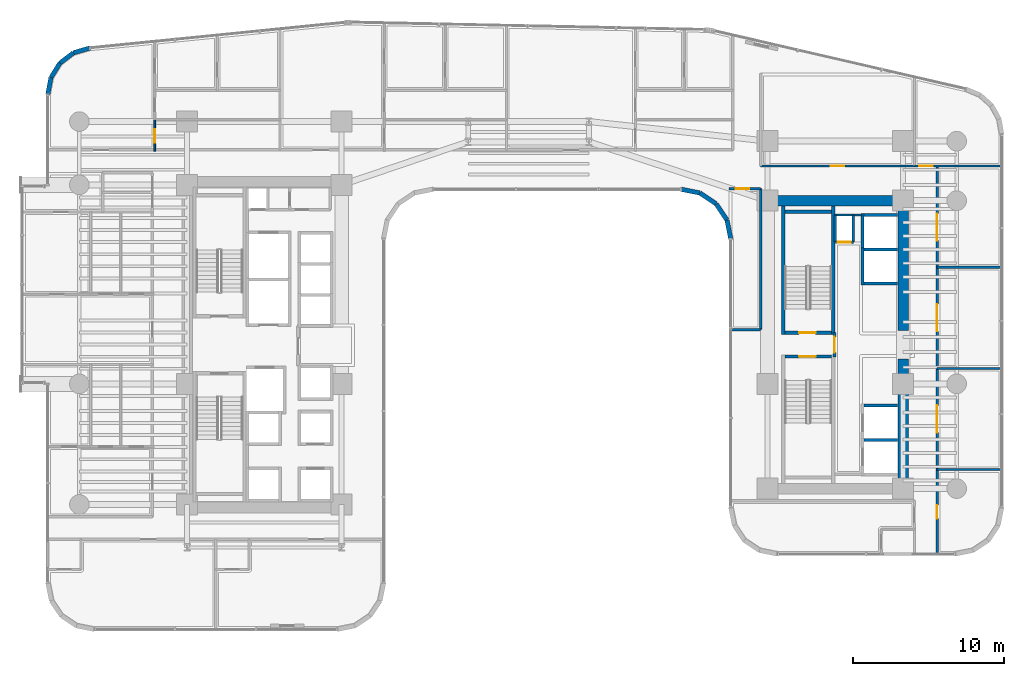
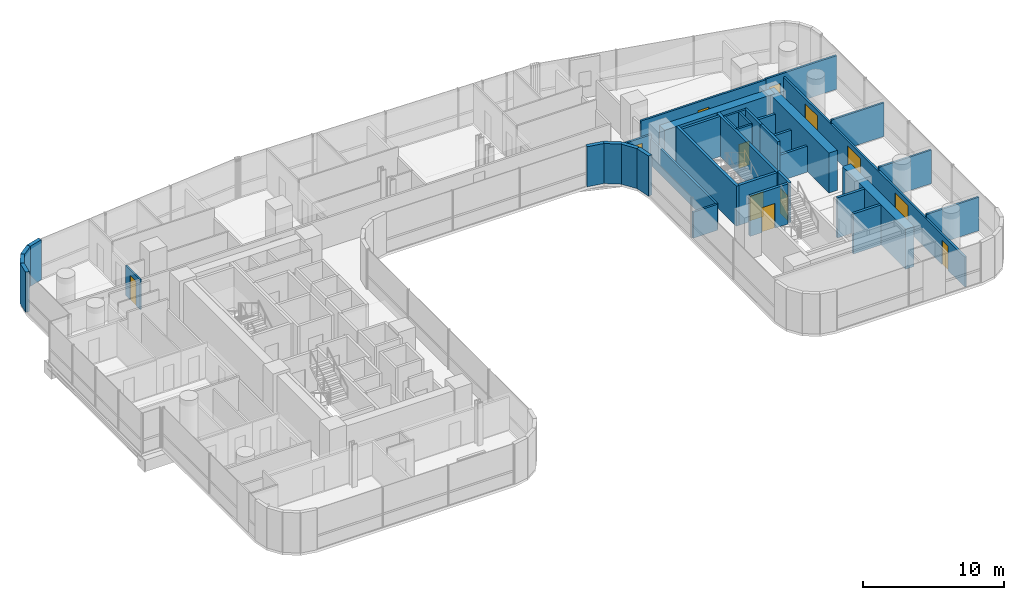
# One storey, part 32 of 40: 38 walls, 12 doors, 12 openings.
"""IFC4 building model written with IfcOpenShell, lengths in metres."""

from ifc_helpers import new_model, si_unit, direction, frame, frame_2d, origin, place, context, subcontext, project, spatial, rectangle, extrude, material, layer, layer_set, type_object, element, fill, save


model = new_model("IFC4")

# Units and contexts
model_context = context("Model", 3, precision=1e-05, world=origin(), true_north=direction((0.0, 1.0)))
body_context = subcontext(model_context, "Body", "Model", "MODEL_VIEW")
ifc_project = project(units=[si_unit("LENGTHUNIT", "METRE"), si_unit("AREAUNIT", "SQUARE_METRE"), si_unit("VOLUMEUNIT", "CUBIC_METRE"), si_unit("PLANEANGLEUNIT", "RADIAN"), si_unit("MASSUNIT", "GRAM", prefix="KILO")], contexts=[model_context])

# Site, building, storey
site_placement = place(None, origin())
site = spatial("IfcSite", under=ifc_project, at=site_placement, CompositionType="ELEMENT")
building_placement = place(site_placement, origin())
building = spatial("IfcBuilding", under=site, at=building_placement, Name="Valdorenza Pilgrim Sanctuary Tower", CompositionType="ELEMENT")
storey_placement = place(building_placement, frame((0.0, 0.0, 44.5)))
storey = spatial("IfcBuildingStorey", under=building, at=storey_placement, Name="L10", CompositionType="ELEMENT", Elevation=44.5)

# Wall, opening, door
ifc_material_1 = material(Name="Acoustic twin-stud gypsum partition", Category="gypsum")
ifc_layer_1 = layer(ifc_material_1, 0.159912109375, Name="Acoustic twin-stud gypsum partition")
ifc_layer_set_1 = layer_set([ifc_layer_1], Name="Acoustic twin-stud gypsum partition")
wall_type_1 = type_object("IfcWallType", Name="WAL-COR-160", PredefinedType="PARTITIONING", material=ifc_layer_set_1)
wall_1_placement = place(storey_placement, frame((20.35009765625, 6.800048828125, 0.0), z_axis=(0.0, 0.0, 1.0), x_axis=(1.0, 0.0, 0.0)))
wall_1 = element("IfcWall", 1, at=wall_1_placement, inside=storey, type_object=wall_type_1, Name="L10 Core B Riser South Wall", PredefinedType="PARTITIONING", context=body_context, shape_type="SweptSolid", body=[
    extrude(rectangle(XDim=1.199951171875, YDim=0.159912109375, at=frame_2d((0.60009765625, 0.0))), origin(), (0.0, 0.0, 1.0), 3.4599609375),
])
opening_1_placement = place(wall_1_placement, frame((0.175048828125, 0.0, 0.0)))
opening_1 = element("IfcOpeningElement", 2, at=opening_1_placement, cuts=wall_1, Name="Opening DR-RS1", PredefinedType="OPENING", context=body_context, shape_type="SweptSolid", body=[
    extrude(rectangle(XDim=0.85009765625, YDim=2.050048828125, at=frame_2d((0.425048828125, 1.02490234375))), frame((0.0, 0.0947265625, 0.0), z_axis=(0.0, -1.0, 0.0), x_axis=(1.0, 0.0, 0.0)), (0.0, 0.0, 1.0), 0.189697265625),
])
ifc_material_2 = material(Name="Painted galvanized steel", Category="steel")
door_type_1 = type_object("IfcDoorType", Name="DR-RSR-850", OperationType="NOTDEFINED", PredefinedType="DOOR", material=ifc_material_2)
door_1_placement = place(opening_1_placement, origin())
door_1 = element("IfcDoor", 3, at=door_1_placement, inside=storey, type_object=door_type_1, Name="L10 Core B Electrical Riser Door", OperationType="SINGLE_SWING_LEFT", OverallHeight=2.050048828125, OverallWidth=0.85009765625, PredefinedType="DOOR", context=body_context, shape_type="SweptSolid", body=[
    extrude(rectangle(XDim=0.85009765625, YDim=2.050048828125, at=frame_2d((0.425048828125, 1.02490234375))), frame((0.0, 0.02490234375, 0.0), z_axis=(0.0, -1.0, 0.0), x_axis=(1.0, 0.0, 0.0)), (0.0, 0.0, 1.0), 0.050048828125),
])
fill(opening_1, door_1)

# Walls
for number, where, z_axis, x_axis, name in (
    (4, (21.550048828125, 6.800048828125, 0.0), (0.0, 0.0, 1.0), (0.0, 1.0, 0.0), "L10 Core B Riser East Wall"),
    (5, (20.35009765625, 6.800048828125, 0.0), (0.0, 0.0, 1.0), (0.0, 1.0, 0.0), "L10 Core B Riser West Wall"),
):
    element("IfcWall", number, at=place(storey_placement, frame(where, z_axis=z_axis, x_axis=x_axis)), inside=storey, type_object=wall_type_1, Name=name, PredefinedType="PARTITIONING", context=body_context, shape_type="SweptSolid", body=[
        extrude(rectangle(XDim=1.800048828125, YDim=0.159912109375, at=frame_2d((0.89990234375, 0.0))), origin(), (0.0, 0.0, 1.0), 3.4599609375),
    ])
wall_2_placement = place(storey_placement, frame((20.300048828125, 8.60009765625, 0.0), z_axis=(0.0, 0.0, 1.0), x_axis=(1.0, 0.0, 0.0)))
element("IfcWall", 6, at=wall_2_placement, inside=storey, type_object=wall_type_1, Name="L10 Core B Lift Hall North End Wall", PredefinedType="PARTITIONING", context=body_context, shape_type="SweptSolid", body=[
    extrude(rectangle(XDim=1.820068359375, YDim=0.159912109375, at=frame_2d((0.91015625, 0.0))), origin(), (0.0, 0.0, 1.0), 3.4599609375),
])

# Wall, opening, door
wall_3_placement = place(storey_placement, frame((15.39990234375, 11.85009765625, 0.0), z_axis=(0.0, 0.0, 1.0), x_axis=(1.0, 0.0, 0.0)))
wall_3 = element("IfcWall", 7, at=wall_3_placement, inside=storey, type_object=wall_type_1, Name="L10 Wing B North Corridor Wall", PredefinedType="PARTITIONING", context=body_context, shape_type="SweptSolid", body=[
    extrude(rectangle(XDim=10.2001953125, YDim=0.159912109375, at=frame_2d((5.10009765625, 0.0))), origin(), (0.0, 0.0, 1.0), 2.833984375),
])
opening_2_placement = place(wall_3_placement, frame((4.64990234375, 0.0, 0.0)))
opening_2 = element("IfcOpeningElement", 8, at=opening_2_placement, cuts=wall_3, Name="Opening DR-RM1", PredefinedType="OPENING", context=body_context, shape_type="SweptSolid", body=[
    extrude(rectangle(XDim=0.89990234375, YDim=2.10009765625, at=frame_2d((0.449951171875, 1.050048828125))), frame((0.0, 0.0947265625, 0.0), z_axis=(0.0, -1.0, 0.0), x_axis=(1.0, 0.0, 0.0)), (0.0, 0.0, 1.0), 0.189697265625),
])
ifc_material_3 = material(Name="Solid-core European oak timber", Category="wood")
door_type_2 = type_object("IfcDoorType", Name="DR-ROOM-900", OperationType="NOTDEFINED", PredefinedType="DOOR", material=ifc_material_3)
door_2_placement = place(opening_2_placement, origin())
door_2 = element("IfcDoor", 9, at=door_2_placement, inside=storey, type_object=door_type_2, Name="L10 Curator Research Office L10-BN1 Door", OperationType="SINGLE_SWING_RIGHT", OverallHeight=2.10009765625, OverallWidth=0.89990234375, PredefinedType="DOOR", context=body_context, shape_type="SweptSolid", body=[
    extrude(rectangle(XDim=0.89990234375, YDim=2.10009765625, at=frame_2d((0.449951171875, 1.050048828125))), frame((0.0, 0.02490234375, 0.0), z_axis=(0.0, -1.0, 0.0), x_axis=(1.0, 0.0, 0.0)), (0.0, 0.0, 1.0), 0.050048828125),
])
fill(opening_2, door_2)

# Wall, openings, doors
wall_4_placement = place(storey_placement, frame((27.10009765625, -13.889892578125, 0.0), z_axis=(0.0, 0.0, 1.0), x_axis=(0.0, 1.0, 0.0)))
wall_4 = element("IfcWall", 10, at=wall_4_placement, inside=storey, type_object=wall_type_1, Name="L10 Wing B East Corridor Wall", PredefinedType="PARTITIONING", context=body_context, shape_type="SweptSolid", body=[
    extrude(rectangle(XDim=25.739990234375, YDim=0.159912109375, at=frame_2d((12.8701171875, 0.0))), origin(), (0.0, 0.0, 1.0), 2.5830078125),
])
opening_3_placement = place(wall_4_placement, frame((2.35107421875, 0.0, 0.0)))
opening_3 = element("IfcOpeningElement", 11, at=opening_3_placement, cuts=wall_4, Name="Opening DR-RM1", PredefinedType="OPENING", context=body_context, shape_type="SweptSolid", body=[
    extrude(rectangle(XDim=0.89990234375, YDim=2.10009765625, at=frame_2d((0.449951171875, 1.050048828125))), frame((0.0, 0.0947265625, 0.0), z_axis=(0.0, -1.0, 0.0), x_axis=(1.0, 0.0, 0.0)), (0.0, 0.0, 1.0), 0.189697265625),
])
opening_4_placement = place(wall_4_placement, frame((8.05908203125, 0.0, 0.0)))
opening_4 = element("IfcOpeningElement", 12, at=opening_4_placement, cuts=wall_4, Name="Opening DR-HL1", PredefinedType="OPENING", context=body_context, shape_type="SweptSolid", body=[
    extrude(rectangle(XDim=1.800048828125, YDim=2.14990234375, at=frame_2d((0.89990234375, 1.074951171875))), frame((0.0, 0.0947265625, 0.0), z_axis=(0.0, -1.0, 0.0), x_axis=(1.0, 0.0, 0.0)), (0.0, 0.0, 1.0), 0.189697265625),
])
opening_5_placement = place(wall_4_placement, frame((14.77099609375, 0.0, 0.0)))
opening_5 = element("IfcOpeningElement", 13, at=opening_5_placement, cuts=wall_4, Name="Opening DR-HL1", PredefinedType="OPENING", context=body_context, shape_type="SweptSolid", body=[
    extrude(rectangle(XDim=1.800048828125, YDim=2.14990234375, at=frame_2d((0.89990234375, 1.074951171875))), frame((0.0, 0.0947265625, 0.0), z_axis=(0.0, -1.0, 0.0), x_axis=(1.0, 0.0, 0.0)), (0.0, 0.0, 1.0), 0.189697265625),
])
opening_6_placement = place(wall_4_placement, frame((20.78759765625, 0.0, 0.0)))
opening_6 = element("IfcOpeningElement", 14, at=opening_6_placement, cuts=wall_4, Name="Opening DR-HL1", PredefinedType="OPENING", context=body_context, shape_type="SweptSolid", body=[
    extrude(rectangle(XDim=1.800048828125, YDim=2.14990234375, at=frame_2d((0.89990234375, 1.074951171875))), frame((0.0, 0.0947265625, 0.0), z_axis=(0.0, -1.0, 0.0), x_axis=(1.0, 0.0, 0.0)), (0.0, 0.0, 1.0), 0.189697265625),
])
ifc_material_4 = material(Name="Acoustic oak and vision-glass double door", Category="glass")
door_type_3 = type_object("IfcDoorType", Name="DR-HALL-1800", OperationType="NOTDEFINED", PredefinedType="DOOR", material=ifc_material_4)
door_3_placement = place(opening_4_placement, frame((1.800048828125, 0.0, 0.0), z_axis=(0.0, 0.0, 1.0), x_axis=(-1.0, 0.0, 0.0)))
door_3 = element("IfcDoor", 15, at=door_3_placement, inside=storey, type_object=door_type_3, Name="L10 East Reading Lounge L10-EB2 Door", OperationType="DOUBLE_DOOR_SINGLE_SWING", OverallHeight=2.14990234375, OverallWidth=1.800048828125, PredefinedType="DOOR", context=body_context, shape_type="SweptSolid", body=[
    extrude(rectangle(XDim=1.800048828125, YDim=2.14990234375, at=frame_2d((0.89990234375, 1.074951171875))), frame((0.0, 0.02490234375, 0.0), z_axis=(0.0, -1.0, 0.0), x_axis=(1.0, 0.0, 0.0)), (0.0, 0.0, 1.0), 0.050048828125),
])
fill(opening_4, door_3)
door_4_placement = place(opening_5_placement, origin())
door_4 = element("IfcDoor", 16, at=door_4_placement, inside=storey, type_object=door_type_3, Name="L10 East Reading Lounge L10-EB3 Door", OperationType="DOUBLE_DOOR_SINGLE_SWING", OverallHeight=2.14990234375, OverallWidth=1.800048828125, PredefinedType="DOOR", context=body_context, shape_type="SweptSolid", body=[
    extrude(rectangle(XDim=1.800048828125, YDim=2.14990234375, at=frame_2d((0.89990234375, 1.074951171875))), frame((0.0, 0.02490234375, 0.0), z_axis=(0.0, -1.0, 0.0), x_axis=(1.0, 0.0, 0.0)), (0.0, 0.0, 1.0), 0.050048828125),
])
fill(opening_5, door_4)
door_5_placement = place(opening_6_placement, frame((1.800048828125, 0.0, 0.0), z_axis=(0.0, 0.0, 1.0), x_axis=(-1.0, 0.0, 0.0)))
door_5 = element("IfcDoor", 17, at=door_5_placement, inside=storey, type_object=door_type_3, Name="L10 East Reading Lounge L10-EB4 Door", OperationType="DOUBLE_DOOR_SINGLE_SWING", OverallHeight=2.14990234375, OverallWidth=1.800048828125, PredefinedType="DOOR", context=body_context, shape_type="SweptSolid", body=[
    extrude(rectangle(XDim=1.800048828125, YDim=2.14990234375, at=frame_2d((0.89990234375, 1.074951171875))), frame((0.0, 0.02490234375, 0.0), z_axis=(0.0, -1.0, 0.0), x_axis=(1.0, 0.0, 0.0)), (0.0, 0.0, 1.0), 0.050048828125),
])
fill(opening_6, door_5)
door_6_placement = place(opening_3_placement, origin())
door_6 = element("IfcDoor", 18, at=door_6_placement, inside=storey, type_object=door_type_2, Name="L10 East Reading Lounge L10-EB1 Door", OperationType="SINGLE_SWING_RIGHT", OverallHeight=2.10009765625, OverallWidth=0.89990234375, PredefinedType="DOOR", context=body_context, shape_type="SweptSolid", body=[
    extrude(rectangle(XDim=0.89990234375, YDim=2.10009765625, at=frame_2d((0.449951171875, 1.050048828125))), frame((0.0, 0.02490234375, 0.0), z_axis=(0.0, -1.0, 0.0), x_axis=(1.0, 0.0, 0.0)), (0.0, 0.0, 1.0), 0.050048828125),
])
fill(opening_3, door_6)

# Wall, opening, door
wall_5_placement = place(storey_placement, frame((25.60009765625, 11.85009765625, 0.0), z_axis=(0.0, 0.0, 1.0), x_axis=(1.0, 0.0, 0.0)))
wall_5 = element("IfcWall", 19, at=wall_5_placement, inside=storey, type_object=wall_type_1, Name="L10 East Wing NE Corner South Wall", PredefinedType="PARTITIONING", context=body_context, shape_type="SweptSolid", body=[
    extrude(rectangle(XDim=5.789794921875, YDim=0.159912109375, at=frame_2d((2.89501953125, 0.0))), origin(), (0.0, 0.0, 1.0), 2.89599609375),
])
opening_7_placement = place(wall_5_placement, frame((0.300048828125, 0.0, 0.0)))
opening_7 = element("IfcOpeningElement", 20, at=opening_7_placement, cuts=wall_5, Name="Opening DR-RM1", PredefinedType="OPENING", context=body_context, shape_type="SweptSolid", body=[
    extrude(rectangle(XDim=0.89990234375, YDim=2.10009765625, at=frame_2d((0.449951171875, 1.050048828125))), frame((0.0, 0.0947265625, 0.0), z_axis=(0.0, -1.0, 0.0), x_axis=(1.0, 0.0, 0.0)), (0.0, 0.0, 1.0), 0.189697265625),
])
door_7_placement = place(opening_7_placement, origin())
door_7 = element("IfcDoor", 21, at=door_7_placement, inside=storey, type_object=door_type_2, Name="L10 East North Alcove Office L10 Door", OperationType="SINGLE_SWING_LEFT", OverallHeight=2.10009765625, OverallWidth=0.89990234375, PredefinedType="DOOR", context=body_context, shape_type="SweptSolid", body=[
    extrude(rectangle(XDim=0.89990234375, YDim=2.10009765625, at=frame_2d((0.449951171875, 1.050048828125))), frame((0.0, 0.02490234375, 0.0), z_axis=(0.0, -1.0, 0.0), x_axis=(1.0, 0.0, 0.0)), (0.0, 0.0, 1.0), 0.050048828125),
])
fill(opening_7, door_7)

wall_6_placement = place(storey_placement, frame((13.300048828125, 10.35009765625, 0.0), z_axis=(0.0, 0.0, 1.0), x_axis=(1.0, 0.0, 0.0)))
wall_6 = element("IfcWall", 22, at=wall_6_placement, inside=storey, type_object=wall_type_1, Name="L10 Courtyard Overlook North Wall", PredefinedType="PARTITIONING", context=body_context, shape_type="SweptSolid", body=[
    extrude(rectangle(XDim=2.099853515625, YDim=0.159912109375, at=frame_2d((1.0498046875, 0.0))), origin(), (0.0, 0.0, 1.0), 2.5830078125),
])
opening_8_placement = place(wall_6_placement, frame((0.449951171875, 0.0, 0.0)))
opening_8 = element("IfcOpeningElement", 23, at=opening_8_placement, cuts=wall_6, Name="Opening DR-RM1", PredefinedType="OPENING", context=body_context, shape_type="SweptSolid", body=[
    extrude(rectangle(XDim=0.89990234375, YDim=2.10009765625, at=frame_2d((0.449951171875, 1.050048828125))), frame((0.0, 0.0947265625, 0.0), z_axis=(0.0, -1.0, 0.0), x_axis=(1.0, 0.0, 0.0)), (0.0, 0.0, 1.0), 0.189697265625),
])
door_8_placement = place(opening_8_placement, origin())
door_8 = element("IfcDoor", 24, at=door_8_placement, inside=storey, type_object=door_type_2, Name="L10 Courtyard Overlook Salon Door", OperationType="SINGLE_SWING_RIGHT", OverallHeight=2.10009765625, OverallWidth=0.89990234375, PredefinedType="DOOR", context=body_context, shape_type="SweptSolid", body=[
    extrude(rectangle(XDim=0.89990234375, YDim=2.10009765625, at=frame_2d((0.449951171875, 1.050048828125))), frame((0.0, 0.02490234375, 0.0), z_axis=(0.0, -1.0, 0.0), x_axis=(1.0, 0.0, 0.0)), (0.0, 0.0, 1.0), 0.050048828125),
])
fill(opening_8, door_8)

# Walls
wall_7_placement = place(storey_placement, frame((15.39990234375, 1.0, 0.0), z_axis=(0.0, 0.0, 1.0), x_axis=(0.0, 1.0, 0.0)))
element("IfcWall", 25, at=wall_7_placement, inside=storey, type_object=wall_type_1, Name="L10 Courtyard Overlook East Wall", PredefinedType="PARTITIONING", context=body_context, shape_type="SweptSolid", body=[
    extrude(rectangle(XDim=9.35009765625, YDim=0.159912109375, at=frame_2d((4.675048828125, 0.0))), origin(), (0.0, 0.0, 1.0), 2.2451171875),
])
wall_8_placement = place(storey_placement, frame((13.409912109375, 1.0, 0.0), z_axis=(0.0, 0.0, 1.0), x_axis=(1.0, 0.0, 0.0)))
element("IfcWall", 26, at=wall_8_placement, inside=storey, type_object=wall_type_1, Name="L10 Courtyard Overlook South Wall", PredefinedType="PARTITIONING", context=body_context, shape_type="SweptSolid", body=[
    extrude(rectangle(XDim=1.989990234375, YDim=0.159912109375, at=frame_2d((0.9951171875, 0.0))), origin(), (0.0, 0.0, 1.0), 2.2451171875),
])
ifc_material_5 = material(Name="Concrete C60/75", Category="concrete")
ifc_layer_2 = layer(ifc_material_5, 0.699951171875, Name="Concrete C60/75")
ifc_layer_set_2 = layer_set([ifc_layer_2], Name="Concrete C60/75")
wall_type_2 = type_object("IfcWallType", Name="WAL-COR-700", PredefinedType="SHEAR", material=ifc_layer_set_2)
for number, where, z_axis, x_axis, name in (
    (27, (24.85009765625, -9.89990234375, 0.0), (0.0, 0.0, 1.0), (0.0, 1.0, 0.0), "L10 Split Core B Shear Wall ES"),
    (28, (24.85009765625, 0.949951171875, 0.0), (0.0, 0.0, 1.0), (0.0, 1.0, 0.0), "L10 Split Core B Shear Wall EN"),
):
    element("IfcWall", number, at=place(storey_placement, frame(where, z_axis=z_axis, x_axis=x_axis)), inside=storey, type_object=wall_type_2, Name=name, PredefinedType="SHEAR", context=body_context, shape_type="SweptSolid", body=[
        extrude(rectangle(XDim=8.949951171875, YDim=0.699951171875, at=frame_2d((4.47509765625, 0.0))), origin(), (0.0, 0.0, 1.0), 3.4599609375),
    ])
wall_9_placement = place(storey_placement, frame((15.85009765625, 9.550048828125, 0.0), z_axis=(0.0, 0.0, 1.0), x_axis=(1.0, 0.0, 0.0)))
element("IfcWall", 29, at=wall_9_placement, inside=storey, type_object=wall_type_2, Name="L10 Split Core B Shear Wall N", PredefinedType="SHEAR", context=body_context, shape_type="SweptSolid", body=[
    extrude(rectangle(XDim=9.0, YDim=0.699951171875, at=frame_2d((4.5, 0.0))), origin(), (0.0, 0.0, 1.0), 3.4599609375),
])
ifc_material_6 = material(Name="Honed travertine limestone", Category="masonry")
ifc_layer_3 = layer(ifc_material_6, 0.300048828125, Name="Honed travertine limestone")
ifc_layer_set_3 = layer_set([ifc_layer_3], Name="Honed travertine limestone")
wall_type_3 = type_object("IfcWallType", Name="WAL-EXT-300", PredefinedType="SOLIDWALL", material=ifc_layer_set_3)
wall_10_placement = place(storey_placement, frame((-31.889892578125, 16.593994140625, 0.0), z_axis=(0.0, 0.0, 1.0), x_axis=(0.182748995683, 0.9831596028, 0.0)))
element("IfcWall", 30, at=wall_10_placement, inside=storey, type_object=wall_type_3, Name="L10 Rounded Wind-Corner Stone Pier 2", PredefinedType="SOLIDWALL", context=body_context, shape_type="SweptSolid", body=[
    extrude(rectangle(XDim=1.1396484375, YDim=0.300048828125, at=frame_2d((0.56982421875, 0.0))), origin(), (0.0, 0.0, 1.0), 3.4599609375),
])
wall_11_placement = place(storey_placement, frame((-31.681640625, 17.71435546875, 0.0), z_axis=(0.0, 0.0, 1.0), x_axis=(0.524157723014, 0.8516212077, 0.0)))
element("IfcWall", 31, at=wall_11_placement, inside=storey, type_object=wall_type_3, Name="L10 Rounded Wind-Corner Stone Pier 3", PredefinedType="SOLIDWALL", context=body_context, shape_type="SweptSolid", body=[
    extrude(rectangle(XDim=1.12939453125, YDim=0.300048828125, at=frame_2d((0.564697265625, 0.0))), origin(), (0.0, 0.0, 1.0), 3.4599609375),
])
wall_12_placement = place(storey_placement, frame((-31.089599609375, 18.67626953125, 0.0), z_axis=(0.0, 0.0, 1.0), x_axis=(0.795253002434, 0.606277710393, 0.0)))
element("IfcWall", 32, at=wall_12_placement, inside=storey, type_object=wall_type_3, Name="L10 Rounded Wind-Corner Stone Pier 4", PredefinedType="SOLIDWALL", context=body_context, shape_type="SweptSolid", body=[
    extrude(rectangle(XDim=1.129150390625, YDim=0.300048828125, at=frame_2d((0.564453125, 0.0))), origin(), (0.0, 0.0, 1.0), 3.4599609375),
])
wall_13_placement = place(storey_placement, frame((-30.191650390625, 19.36083984375, 0.0), z_axis=(0.0, 0.0, 1.0), x_axis=(0.960071941549, 0.279753225271, 0.0)))
element("IfcWall", 33, at=wall_13_placement, inside=storey, type_object=wall_type_3, Name="L10 Rounded Wind-Corner Stone Pier 5", PredefinedType="SOLIDWALL", context=body_context, shape_type="SweptSolid", body=[
    extrude(rectangle(XDim=1.1396484375, YDim=0.300048828125, at=frame_2d((0.56982421875, 0.0))), origin(), (0.0, 0.0, 1.0), 3.4599609375),
])
wall_14_placement = place(storey_placement, frame((13.409912109375, 7.0107421875, 0.0), z_axis=(0.0, 0.0, 1.0), x_axis=(-0.195090163074, 0.980785312019, 0.0)))
element("IfcWall", 34, at=wall_14_placement, inside=storey, type_object=wall_type_3, Name="L10 Rounded Wind-Corner Stone Pier 32", PredefinedType="SOLIDWALL", context=body_context, shape_type="SweptSolid", body=[
    extrude(rectangle(XDim=1.281494140625, YDim=0.300048828125, at=frame_2d((0.640625, 0.0))), origin(), (0.0, 0.0, 1.0), 3.4599609375),
])
for number, where, z_axis, x_axis, name in (
    (35, (13.159912109375, 8.267578125, 0.0), (0.0, 0.0, 1.0), (-0.555615398575, 0.831439431869, 0.0), "L10 Rounded Wind-Corner Stone Pier 33"),
    (36, (12.44189453125, 9.342041015625, 0.0), (0.0, 0.0, 1.0), (-0.831439431869, 0.555615398575, 0.0), "L10 Rounded Wind-Corner Stone Pier 34"),
):
    element("IfcWall", number, at=place(storey_placement, frame(where, z_axis=z_axis, x_axis=x_axis)), inside=storey, type_object=wall_type_3, Name=name, PredefinedType="SOLIDWALL", context=body_context, shape_type="SweptSolid", body=[
        extrude(rectangle(XDim=1.292236328125, YDim=0.300048828125, at=frame_2d((0.64599609375, 0.0))), origin(), (0.0, 0.0, 1.0), 3.4599609375),
    ])
wall_15_placement = place(storey_placement, frame((11.367431640625, 10.06005859375, 0.0), z_axis=(0.0, 0.0, 1.0), x_axis=(-0.980778058848, 0.195126623715, 0.0)))
element("IfcWall", 37, at=wall_15_placement, inside=storey, type_object=wall_type_3, Name="L10 Rounded Wind-Corner Stone Pier 35", PredefinedType="SOLIDWALL", context=body_context, shape_type="SweptSolid", body=[
    extrude(rectangle(XDim=1.28125, YDim=0.300048828125, at=frame_2d((0.640625, 0.0))), origin(), (0.0, 0.0, 1.0), 3.4599609375),
])

# Wall, opening, door
ifc_material_7 = material(Name="Gypsum shaftwall partition", Category="gypsum")
ifc_layer_4 = layer(ifc_material_7, 0.199951171875, Name="Gypsum shaftwall partition")
ifc_layer_set_4 = layer_set([ifc_layer_4], Name="Gypsum shaftwall partition")
wall_type_4 = type_object("IfcWallType", Name="WAL-FFL-200", PredefinedType="PARTITIONING", material=ifc_layer_set_4)
wall_16_placement = place(storey_placement, frame((20.300048828125, -0.820068359375, 0.0), z_axis=(0.0, 0.0, 1.0), x_axis=(0.0, 1.0, 0.0)))
wall_16 = element("IfcWall", 38, at=wall_16_placement, inside=storey, type_object=wall_type_4, Name="L10 Core B Firefighting Lobby East Wall", PredefinedType="PARTITIONING", context=body_context, shape_type="SweptSolid", body=[
    extrude(rectangle(XDim=1.64013671875, YDim=0.199951171875, at=frame_2d((0.820068359375, 0.0))), origin(), (0.0, 0.0, 1.0), 3.4599609375),
])
opening_9_placement = place(wall_16_placement, frame((0.294921875, 0.0, 0.0)))
opening_9 = element("IfcOpeningElement", 39, at=opening_9_placement, cuts=wall_16, Name="Opening DR-FL1", PredefinedType="OPENING", context=body_context, shape_type="SweptSolid", body=[
    extrude(rectangle(XDim=1.050048828125, YDim=2.14990234375, at=frame_2d((0.52490234375, 1.074951171875))), frame((0.0, 0.11474609375, 0.0), z_axis=(0.0, -1.0, 0.0), x_axis=(1.0, 0.0, 0.0)), (0.0, 0.0, 1.0), 0.229736328125),
])
door_type_4 = type_object("IfcDoorType", Name="DR-FFL-1050", OperationType="NOTDEFINED", PredefinedType="DOOR", material=ifc_material_2)
door_9_placement = place(opening_9_placement, origin())
door_9 = element("IfcDoor", 40, at=door_9_placement, inside=storey, type_object=door_type_4, Name="L10 Core B Firefighting Lobby Door", OperationType="SINGLE_SWING_RIGHT", OverallHeight=2.14990234375, OverallWidth=1.050048828125, PredefinedType="DOOR", context=body_context, shape_type="SweptSolid", body=[
    extrude(rectangle(XDim=1.050048828125, YDim=2.14990234375, at=frame_2d((0.52490234375, 1.074951171875))), frame((0.0, 0.02490234375, 0.0), z_axis=(0.0, -1.0, 0.0), x_axis=(1.0, 0.0, 0.0)), (0.0, 0.0, 1.0), 0.050048828125),
])
fill(opening_9, door_9)

ifc_material_8 = material(Name="Moisture-resistant gypsum partition", Category="gypsum")
ifc_layer_5 = layer(ifc_material_8, 0.1201171875, Name="Moisture-resistant gypsum partition")
ifc_layer_set_5 = layer_set([ifc_layer_5], Name="Moisture-resistant gypsum partition")
wall_type_5 = type_object("IfcWallType", Name="WAL-INT-120", PredefinedType="PARTITIONING", material=ifc_layer_set_5)
wall_17_placement = place(storey_placement, frame((-24.802734375, 12.840087890625, 0.0), z_axis=(0.0, 0.0, 1.0), x_axis=(0.0, 1.0, 0.0)))
wall_17 = element("IfcWall", 41, at=wall_17_placement, inside=storey, type_object=wall_type_5, Name="L10 North Family Flat L10-N1 Kitchen Door Wall", PredefinedType="PARTITIONING", context=body_context, shape_type="SweptSolid", body=[
    extrude(rectangle(XDim=2.079833984375, YDim=0.1201171875, at=frame_2d((1.0400390625, 0.0))), origin(), (0.0, 0.0, 1.0), 2.5830078125),
])
opening_10_placement = place(wall_17_placement, frame((0.550048828125, 0.0, 0.0)))
opening_10 = element("IfcOpeningElement", 42, at=opening_10_placement, cuts=wall_17, Name="Opening DR-RM1", PredefinedType="OPENING", context=body_context, shape_type="SweptSolid", body=[
    extrude(rectangle(XDim=0.89990234375, YDim=2.10009765625, at=frame_2d((0.449951171875, 1.050048828125))), frame((0.0, 0.074951171875, 0.0), z_axis=(0.0, -1.0, 0.0), x_axis=(1.0, 0.0, 0.0)), (0.0, 0.0, 1.0), 0.14990234375),
])
door_10_placement = place(opening_10_placement, origin())
door_10 = element("IfcDoor", 43, at=door_10_placement, inside=storey, type_object=door_type_2, Name="L10 North Family Flat L10-N1 Kitchen Door", OperationType="SINGLE_SWING_LEFT", OverallHeight=2.10009765625, OverallWidth=0.89990234375, PredefinedType="DOOR", context=body_context, shape_type="SweptSolid", body=[
    extrude(rectangle(XDim=0.89990234375, YDim=2.10009765625, at=frame_2d((0.449951171875, 1.050048828125))), frame((0.0, 0.02490234375, 0.0), z_axis=(0.0, -1.0, 0.0), x_axis=(1.0, 0.0, 0.0)), (0.0, 0.0, 1.0), 0.050048828125),
])
fill(opening_10, door_10)

# Walls
ifc_material_9 = material(Name="Autoclaved aerated concrete blockwork", Category="masonry")
ifc_layer_6 = layer(ifc_material_9, 0.199951171875, Name="Autoclaved aerated concrete blockwork")
ifc_layer_set_6 = layer_set([ifc_layer_6], Name="Autoclaved aerated concrete blockwork")
wall_type_6 = type_object("IfcWallType", Name="WAL-SHF-200", PredefinedType="MOVABLE", material=ifc_layer_set_6)
for number, where, z_axis, x_axis, name in (
    (44, (22.25, -6.324951171875, 0.0), (0.0, 0.0, 1.0), (1.0, 0.0, 0.0), "L10 Lift PL-03 Hoistway Wall North"),
    (45, (22.25, -4.050048828125, 0.0), (0.0, 0.0, 1.0), (1.0, 0.0, 0.0), "L10 Lift PL-04 Hoistway Wall North"),
):
    element("IfcWall", number, at=place(storey_placement, frame(where, z_axis=z_axis, x_axis=x_axis)), inside=storey, type_object=wall_type_6, Name=name, PredefinedType="MOVABLE", context=body_context, shape_type="SweptSolid", body=[
        extrude(rectangle(XDim=2.22998046875, YDim=0.199951171875, at=frame_2d((1.114990234375, 0.0))), origin(), (0.0, 0.0, 1.0), 3.4599609375),
    ])
wall_18_placement = place(storey_placement, frame((22.14990234375, 3.949951171875, 0.0), z_axis=(0.0, 0.0, 1.0), x_axis=(0.0, 1.0, 0.0)))
element("IfcWall", 46, at=wall_18_placement, inside=storey, type_object=wall_type_6, Name="L10 Lift PL-07 Hoistway Wall West", PredefinedType="MOVABLE", context=body_context, shape_type="SweptSolid", body=[
    extrude(rectangle(XDim=2.47509765625, YDim=0.199951171875, at=frame_2d((1.237548828125, 0.0))), origin(), (0.0, 0.0, 1.0), 3.4599609375),
])
for number, where, z_axis, x_axis, name in (
    (47, (22.25, 4.050048828125, 0.0), (0.0, 0.0, 1.0), (1.0, 0.0, 0.0), "L10 Lift PL-07 Hoistway Wall South"),
    (48, (22.25, 6.324951171875, 0.0), (0.0, 0.0, 1.0), (1.0, 0.0, 0.0), "L10 Lift PL-07 Hoistway Wall North"),
):
    element("IfcWall", number, at=place(storey_placement, frame(where, z_axis=z_axis, x_axis=x_axis)), inside=storey, type_object=wall_type_6, Name=name, PredefinedType="MOVABLE", context=body_context, shape_type="SweptSolid", body=[
        extrude(rectangle(XDim=2.22998046875, YDim=0.199951171875, at=frame_2d((1.114990234375, 0.0))), origin(), (0.0, 0.0, 1.0), 2.2451171875),
    ])
wall_19_placement = place(storey_placement, frame((22.14990234375, 6.22509765625, 0.0), z_axis=(0.0, 0.0, 1.0), x_axis=(0.0, 1.0, 0.0)))
element("IfcWall", 49, at=wall_19_placement, inside=storey, type_object=wall_type_6, Name="L10 Lift PL-08 Hoistway Wall West", PredefinedType="MOVABLE", context=body_context, shape_type="SweptSolid", body=[
    extrude(rectangle(XDim=2.474853515625, YDim=0.199951171875, at=frame_2d((1.2373046875, 0.0))), origin(), (0.0, 0.0, 1.0), 3.4599609375),
])
wall_20_placement = place(storey_placement, frame((22.25, 8.60009765625, 0.0), z_axis=(0.0, 0.0, 1.0), x_axis=(1.0, 0.0, 0.0)))
element("IfcWall", 50, at=wall_20_placement, inside=storey, type_object=wall_type_6, Name="L10 Lift PL-08 Hoistway Wall North", PredefinedType="MOVABLE", context=body_context, shape_type="SweptSolid", body=[
    extrude(rectangle(XDim=2.22998046875, YDim=0.199951171875, at=frame_2d((1.114990234375, 0.0))), origin(), (0.0, 0.0, 1.0), 2.2451171875),
])
ifc_material_10 = material(Name="Concrete C40/50", Category="concrete")
ifc_layer_7 = layer(ifc_material_10, 0.219970703125, Name="Concrete C40/50")
ifc_layer_set_7 = layer_set([ifc_layer_7], Name="Concrete C40/50")
wall_type_7 = type_object("IfcWallType", Name="WAL-STR-SHF-220", PredefinedType="SHEAR", material=ifc_layer_set_7)
for number, where, z_axis, x_axis, name in (
    (51, (16.889892578125, 0.679931640625, 0.0), (0.0, 0.0, 1.0), (0.0, 1.0, 0.0), "L10 ST-B1 Structural Stairwell Wall W"),
    (52, (20.219970703125, 0.679931640625, 0.0), (0.0, 0.0, 1.0), (0.0, 1.0, 0.0), "L10 ST-B1 Structural Stairwell Wall E"),
):
    element("IfcWall", number, at=place(storey_placement, frame(where, z_axis=z_axis, x_axis=x_axis)), inside=storey, type_object=wall_type_7, Name=name, PredefinedType="SHEAR", context=body_context, shape_type="SweptSolid", body=[
        extrude(rectangle(XDim=8.52001953125, YDim=0.219970703125, at=frame_2d((4.260009765625, 0.0))), origin(), (0.0, 0.0, 1.0), 3.4599609375),
    ])

# Wall, opening, door
wall_21_placement = place(storey_placement, frame((17.0, 0.7900390625, 0.0), z_axis=(0.0, 0.0, 1.0), x_axis=(1.0, 0.0, 0.0)))
wall_21 = element("IfcWall", 53, at=wall_21_placement, inside=storey, type_object=wall_type_7, Name="L10 ST-B1 Structural Stairwell Wall S", PredefinedType="SHEAR", context=body_context, shape_type="SweptSolid", body=[
    extrude(rectangle(XDim=3.110107421875, YDim=0.219970703125, at=frame_2d((1.55517578125, 0.0))), origin(), (0.0, 0.0, 1.0), 3.4599609375),
])
opening_11_placement = place(wall_21_placement, frame((0.949951171875, 0.0, 0.0)))
opening_11 = element("IfcOpeningElement", 54, at=opening_11_placement, cuts=wall_21, Name="Opening DR-ST1", PredefinedType="OPENING", context=body_context, shape_type="SweptSolid", body=[
    extrude(rectangle(XDim=1.10009765625, YDim=2.14990234375, at=frame_2d((0.550048828125, 1.074951171875))), frame((0.0, 0.125, 0.0), z_axis=(0.0, -1.0, 0.0), x_axis=(1.0, 0.0, 0.0)), (0.0, 0.0, 1.0), 0.249755859375),
])
door_type_5 = type_object("IfcDoorType", Name="DR-STAIR-1100", OperationType="NOTDEFINED", PredefinedType="DOOR", material=ifc_material_2)
door_11_placement = place(opening_11_placement, frame((1.10009765625, 0.0, 0.0), z_axis=(0.0, 0.0, 1.0), x_axis=(-1.0, 0.0, 0.0)))
door_11 = element("IfcDoor", 55, at=door_11_placement, inside=storey, type_object=door_type_5, Name="L10 Exit Stair ST-B1 Door", OperationType="SINGLE_SWING_LEFT", OverallHeight=2.14990234375, OverallWidth=1.10009765625, PredefinedType="DOOR", context=body_context, shape_type="SweptSolid", body=[
    extrude(rectangle(XDim=1.10009765625, YDim=2.14990234375, at=frame_2d((0.550048828125, 1.074951171875))), frame((0.0, 0.02490234375, 0.0), z_axis=(0.0, -1.0, 0.0), x_axis=(1.0, 0.0, 0.0)), (0.0, 0.0, 1.0), 0.050048828125),
])
fill(opening_11, door_11)

# Wall
wall_22_placement = place(storey_placement, frame((17.0, 8.81005859375, 0.0), z_axis=(0.0, 0.0, 1.0), x_axis=(1.0, 0.0, 0.0)))
element("IfcWall", 56, at=wall_22_placement, inside=storey, type_object=wall_type_7, Name="L10 ST-B1 Structural Stairwell Wall N", PredefinedType="SHEAR", context=body_context, shape_type="SweptSolid", body=[
    extrude(rectangle(XDim=3.110107421875, YDim=0.219970703125, at=frame_2d((1.55517578125, 0.0))), origin(), (0.0, 0.0, 1.0), 3.4599609375),
])

# Wall, opening, door
wall_23_placement = place(storey_placement, frame((17.0, -0.7900390625, 0.0), z_axis=(0.0, 0.0, 1.0), x_axis=(1.0, 0.0, 0.0)))
wall_23 = element("IfcWall", 57, at=wall_23_placement, inside=storey, type_object=wall_type_7, Name="L10 ST-B2 Structural Stairwell Wall N", PredefinedType="SHEAR", context=body_context, shape_type="SweptSolid", body=[
    extrude(rectangle(XDim=3.110107421875, YDim=0.219970703125, at=frame_2d((1.55517578125, 0.0))), origin(), (0.0, 0.0, 1.0), 3.4599609375),
])
opening_12_placement = place(wall_23_placement, frame((0.949951171875, 0.0, 0.0)))
opening_12 = element("IfcOpeningElement", 58, at=opening_12_placement, cuts=wall_23, Name="Opening DR-ST1", PredefinedType="OPENING", context=body_context, shape_type="SweptSolid", body=[
    extrude(rectangle(XDim=1.10009765625, YDim=2.14990234375, at=frame_2d((0.550048828125, 1.074951171875))), frame((0.0, 0.125, 0.0), z_axis=(0.0, -1.0, 0.0), x_axis=(1.0, 0.0, 0.0)), (0.0, 0.0, 1.0), 0.249755859375),
])
door_12_placement = place(opening_12_placement, origin())
door_12 = element("IfcDoor", 59, at=door_12_placement, inside=storey, type_object=door_type_5, Name="L10 Exit Stair ST-B2 Door", OperationType="SINGLE_SWING_RIGHT", OverallHeight=2.14990234375, OverallWidth=1.10009765625, PredefinedType="DOOR", context=body_context, shape_type="SweptSolid", body=[
    extrude(rectangle(XDim=1.10009765625, YDim=2.14990234375, at=frame_2d((0.550048828125, 1.074951171875))), frame((0.0, 0.02490234375, 0.0), z_axis=(0.0, -1.0, 0.0), x_axis=(1.0, 0.0, 0.0)), (0.0, 0.0, 1.0), 0.050048828125),
])
fill(opening_12, door_12)

# Walls
ifc_layer_8 = layer(ifc_material_1, 0.14990234375, Name="Acoustic twin-stud gypsum partition")
ifc_layer_set_8 = layer_set([ifc_layer_8], Name="Acoustic twin-stud gypsum partition")
wall_type_8 = type_object("IfcWallType", Name="WAL-UNT-150", PredefinedType="PARTITIONING", material=ifc_layer_set_8)
for number, where, z_axis, x_axis, name in (
    (60, (27.10009765625, -8.28759765625, 0.0), (0.0, 0.0, 1.0), (1.0, 0.0, 0.0), "L10 East Reading Lounge L10-EB2 Demising Wall"),
    (61, (27.10009765625, -1.574951171875, 0.0), (0.0, 0.0, 1.0), (1.0, 0.0, 0.0), "L10 East Reading Lounge L10-EB3 Demising Wall"),
    (62, (27.10009765625, 5.137451171875, 0.0), (0.0, 0.0, 1.0), (1.0, 0.0, 0.0), "L10 East Reading Lounge L10-EB4 Demising Wall"),
):
    element("IfcWall", number, at=place(storey_placement, frame(where, z_axis=z_axis, x_axis=x_axis)), inside=storey, type_object=wall_type_8, Name=name, PredefinedType="PARTITIONING", context=body_context, shape_type="SweptSolid", body=[
        extrude(rectangle(XDim=4.289794921875, YDim=0.14990234375, at=frame_2d((2.14501953125, 0.0))), origin(), (0.0, 0.0, 1.0), 2.89599609375),
    ])

save(model, "model.ifc")
